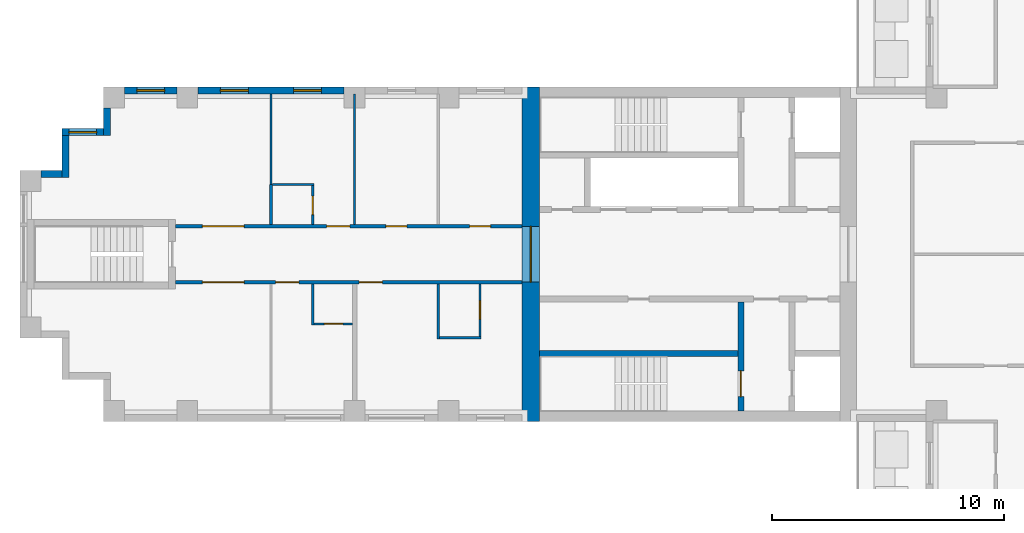
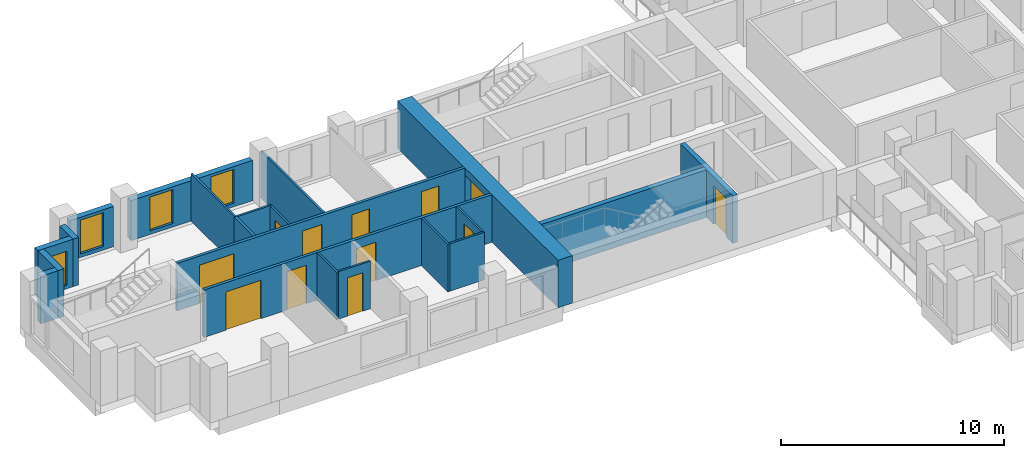
# One storey, part 3 of 12: 21 walls, 12 doors, 4 windows, 16 openings.
"""IFC4 building model written with IfcOpenShell, lengths in metres."""

from ifc_helpers import new_model, si_unit, direction, frame, frame_2d, origin, place, context, subcontext, project, spatial, rectangle, extrude, material, layer, layer_set, type_object, element, fill, save


model = new_model("IFC4")

# Units and contexts
model_context = context("Model", 3, precision=1e-05, world=origin(), true_north=direction((0.0, 1.0)))
body_context = subcontext(model_context, "Body", "Model", "MODEL_VIEW")
ifc_project = project(units=[si_unit("LENGTHUNIT", "METRE"), si_unit("AREAUNIT", "SQUARE_METRE"), si_unit("VOLUMEUNIT", "CUBIC_METRE"), si_unit("PLANEANGLEUNIT", "RADIAN"), si_unit("MASSUNIT", "GRAM", prefix="KILO")], contexts=[model_context])

# Site, building, storey
site_placement = place(None, origin())
site = spatial("IfcSite", under=ifc_project, at=site_placement, CompositionType="ELEMENT")
building_placement = place(site_placement, origin())
building = spatial("IfcBuilding", under=site, at=building_placement, Name="Fustian Cross Tower", CompositionType="ELEMENT")
storey_placement = place(building_placement, frame((0.0, 0.0, 132.300048828125)))
storey = spatial("IfcBuildingStorey", under=building, at=storey_placement, Name="L41", CompositionType="ELEMENT", Elevation=132.300048828125)

# Wall, openings, doors
ifc_material_1 = material(Name="Plasterboard on steel stud", Category="steel")
ifc_layer_1 = layer(ifc_material_1, 0.14990234375)
ifc_layer_set_1 = layer_set([ifc_layer_1], Name="Plasterboard on steel stud")
wall_type_1 = type_object("IfcWallType", Name="COMPARTMENT WALL 150 EI 60", PredefinedType="PARTITIONING", material=ifc_layer_set_1)
wall_1_placement = place(storey_placement, frame((-36.5, -1.199951171875, 0.0), z_axis=(0.0, 0.0, 1.0), x_axis=(1.0, 0.0, 0.0)))
wall_1 = element("IfcWall", 1, at=wall_1_placement, inside=storey, type_object=wall_type_1, Name="Partition 1", PredefinedType="PARTITIONING", context=body_context, shape_type="SweptSolid", body=[
    extrude(rectangle(XDim=14.89990234375, YDim=0.14990234375, at=frame_2d((7.449951171875, 0.0))), origin(), (0.0, 0.0, 1.0), 2.599853515625),
])
opening_1_placement = place(wall_1_placement, frame((7.89990234375, 0.0, 0.0)))
opening_1 = element("IfcOpeningElement", 2, at=opening_1_placement, cuts=wall_1, Name="Opening D19021", PredefinedType="OPENING", context=body_context, shape_type="SweptSolid", body=[
    extrude(rectangle(XDim=1.0, YDim=2.10009765625, at=frame_2d((0.5, 1.050048828125))), frame((0.0, 0.0849609375, 0.0), z_axis=(0.0, -1.0, 0.0), x_axis=(1.0, 0.0, 0.0)), (0.0, 0.0, 1.0), 0.169921875),
])
opening_2_placement = place(wall_1_placement, frame((4.300048828125, 0.0, 0.0)))
opening_2 = element("IfcOpeningElement", 3, at=opening_2_placement, cuts=wall_1, Name="Opening D19023", PredefinedType="OPENING", context=body_context, shape_type="SweptSolid", body=[
    extrude(rectangle(XDim=1.0, YDim=2.10009765625, at=frame_2d((0.5, 1.050048828125))), frame((0.0, 0.0849609375, 0.0), z_axis=(0.0, -1.0, 0.0), x_axis=(1.0, 0.0, 0.0)), (0.0, 0.0, 1.0), 0.169921875),
])
opening_3_placement = place(wall_1_placement, frame((1.14990234375, 0.0, 0.0)))
opening_3 = element("IfcOpeningElement", 4, at=opening_3_placement, cuts=wall_1, Name="Opening D19024", PredefinedType="OPENING", context=body_context, shape_type="SweptSolid", body=[
    extrude(rectangle(XDim=1.800048828125, YDim=2.10009765625, at=frame_2d((0.89990234375, 1.050048828125))), frame((0.0, 0.0849609375, 0.0), z_axis=(0.0, -1.0, 0.0), x_axis=(1.0, 0.0, 0.0)), (0.0, 0.0, 1.0), 0.169921875),
])
ifc_material_2 = material(Name="Timber fire door set", Category="wood")
door_type_1 = type_object("IfcDoorType", Name="FIRE DOUBLE DOOR 1800 FD30S", OperationType="DOUBLE_DOOR_DOUBLE_SWING", PredefinedType="DOOR", material=ifc_material_2)
door_1_placement = place(opening_3_placement, origin())
door_1 = element("IfcDoor", 5, at=door_1_placement, inside=storey, type_object=door_type_1, Name="Door D19024", OperationType="DOUBLE_DOOR_DOUBLE_SWING", OverallHeight=2.10009765625, OverallWidth=1.800048828125, PredefinedType="DOOR", context=body_context, shape_type="SweptSolid", body=[
    extrude(rectangle(XDim=1.800048828125, YDim=2.10009765625, at=frame_2d((0.89990234375, 1.050048828125))), frame((0.0, 0.02490234375, 0.0), z_axis=(0.0, -1.0, 0.0), x_axis=(1.0, 0.0, 0.0)), (0.0, 0.0, 1.0), 0.050048828125),
])
fill(opening_3, door_1)
ifc_material_3 = material(Name="Timber fire door set", Category="wood")
door_type_2 = type_object("IfcDoorType", Name="FIRE SWING DOOR 1000 FD30S", OperationType="SINGLE_SWING_LEFT", PredefinedType="DOOR", material=ifc_material_3)
door_2_placement = place(opening_1_placement, frame((1.0, 0.0, 0.0), z_axis=(0.0, 0.0, 1.0), x_axis=(-1.0, 0.0, 0.0)))
door_2 = element("IfcDoor", 6, at=door_2_placement, inside=storey, type_object=door_type_2, Name="Door D19021", OperationType="SINGLE_SWING_RIGHT", OverallHeight=2.10009765625, OverallWidth=1.0, PredefinedType="DOOR", context=body_context, shape_type="SweptSolid", body=[
    extrude(rectangle(XDim=1.0, YDim=2.10009765625, at=frame_2d((0.5, 1.050048828125))), frame((0.0, 0.02490234375, 0.0), z_axis=(0.0, -1.0, 0.0), x_axis=(1.0, 0.0, 0.0)), (0.0, 0.0, 1.0), 0.050048828125),
])
fill(opening_1, door_2)
door_3_placement = place(opening_2_placement, frame((1.0, 0.0, 0.0), z_axis=(0.0, 0.0, 1.0), x_axis=(-1.0, 0.0, 0.0)))
door_3 = element("IfcDoor", 7, at=door_3_placement, inside=storey, type_object=door_type_2, Name="Door D19023", OperationType="SINGLE_SWING_RIGHT", OverallHeight=2.10009765625, OverallWidth=1.0, PredefinedType="DOOR", context=body_context, shape_type="SweptSolid", body=[
    extrude(rectangle(XDim=1.0, YDim=2.10009765625, at=frame_2d((0.5, 1.050048828125))), frame((0.0, 0.02490234375, 0.0), z_axis=(0.0, -1.0, 0.0), x_axis=(1.0, 0.0, 0.0)), (0.0, 0.0, 1.0), 0.050048828125),
])
fill(opening_2, door_3)

wall_2_placement = place(storey_placement, frame((-36.5, 1.199951171875, 0.0), z_axis=(0.0, 0.0, 1.0), x_axis=(1.0, 0.0, 0.0)))
wall_2 = element("IfcWall", 8, at=wall_2_placement, inside=storey, type_object=wall_type_1, Name="Partition 2", PredefinedType="PARTITIONING", context=body_context, shape_type="SweptSolid", body=[
    extrude(rectangle(XDim=14.89990234375, YDim=0.14990234375, at=frame_2d((7.449951171875, 0.0))), origin(), (0.0, 0.0, 1.0), 2.599853515625),
])
opening_4_placement = place(wall_2_placement, frame((12.64990234375, 0.0, 0.0)))
opening_4 = element("IfcOpeningElement", 9, at=opening_4_placement, cuts=wall_2, Name="Opening D19025", PredefinedType="OPENING", context=body_context, shape_type="SweptSolid", body=[
    extrude(rectangle(XDim=0.89990234375, YDim=2.10009765625, at=frame_2d((0.449951171875, 1.050048828125))), frame((0.0, 0.0849609375, 0.0), z_axis=(0.0, -1.0, 0.0), x_axis=(1.0, 0.0, 0.0)), (0.0, 0.0, 1.0), 0.169921875),
])
opening_5_placement = place(wall_2_placement, frame((9.050048828125, 0.0, 0.0)))
opening_5 = element("IfcOpeningElement", 10, at=opening_5_placement, cuts=wall_2, Name="Opening D19026", PredefinedType="OPENING", context=body_context, shape_type="SweptSolid", body=[
    extrude(rectangle(XDim=0.89990234375, YDim=2.10009765625, at=frame_2d((0.449951171875, 1.050048828125))), frame((0.0, 0.0849609375, 0.0), z_axis=(0.0, -1.0, 0.0), x_axis=(1.0, 0.0, 0.0)), (0.0, 0.0, 1.0), 0.169921875),
])
opening_6_placement = place(wall_2_placement, frame((6.5, 0.0, 0.0)))
opening_6 = element("IfcOpeningElement", 11, at=opening_6_placement, cuts=wall_2, Name="Opening D19028", PredefinedType="OPENING", context=body_context, shape_type="SweptSolid", body=[
    extrude(rectangle(XDim=1.0, YDim=2.10009765625, at=frame_2d((0.5, 1.050048828125))), frame((0.0, 0.0849609375, 0.0), z_axis=(0.0, -1.0, 0.0), x_axis=(1.0, 0.0, 0.0)), (0.0, 0.0, 1.0), 0.169921875),
])
opening_7_placement = place(wall_2_placement, frame((1.14990234375, 0.0, 0.0)))
opening_7 = element("IfcOpeningElement", 12, at=opening_7_placement, cuts=wall_2, Name="Opening D19029", PredefinedType="OPENING", context=body_context, shape_type="SweptSolid", body=[
    extrude(rectangle(XDim=1.800048828125, YDim=2.10009765625, at=frame_2d((0.89990234375, 1.050048828125))), frame((0.0, 0.0849609375, 0.0), z_axis=(0.0, -1.0, 0.0), x_axis=(1.0, 0.0, 0.0)), (0.0, 0.0, 1.0), 0.169921875),
])
door_4_placement = place(opening_7_placement, frame((1.800048828125, 0.0, 0.0), z_axis=(0.0, 0.0, 1.0), x_axis=(-1.0, 0.0, 0.0)))
door_4 = element("IfcDoor", 13, at=door_4_placement, inside=storey, type_object=door_type_1, Name="Door D19029", OperationType="DOUBLE_DOOR_DOUBLE_SWING", OverallHeight=2.10009765625, OverallWidth=1.800048828125, PredefinedType="DOOR", context=body_context, shape_type="SweptSolid", body=[
    extrude(rectangle(XDim=1.800048828125, YDim=2.10009765625, at=frame_2d((0.89990234375, 1.050048828125))), frame((0.0, 0.02490234375, 0.0), z_axis=(0.0, -1.0, 0.0), x_axis=(1.0, 0.0, 0.0)), (0.0, 0.0, 1.0), 0.050048828125),
])
fill(opening_7, door_4)
door_5_placement = place(opening_6_placement, origin())
door_5 = element("IfcDoor", 14, at=door_5_placement, inside=storey, type_object=door_type_2, Name="Door D19028", OperationType="SINGLE_SWING_RIGHT", OverallHeight=2.10009765625, OverallWidth=1.0, PredefinedType="DOOR", context=body_context, shape_type="SweptSolid", body=[
    extrude(rectangle(XDim=1.0, YDim=2.10009765625, at=frame_2d((0.5, 1.050048828125))), frame((0.0, 0.02490234375, 0.0), z_axis=(0.0, -1.0, 0.0), x_axis=(1.0, 0.0, 0.0)), (0.0, 0.0, 1.0), 0.050048828125),
])
fill(opening_6, door_5)
ifc_material_4 = material(Name="Timber fire door set", Category="wood")
door_type_3 = type_object("IfcDoorType", Name="FIRE SWING DOOR 900 FD30S", OperationType="SINGLE_SWING_LEFT", PredefinedType="DOOR", material=ifc_material_4)
door_6_placement = place(opening_4_placement, origin())
door_6 = element("IfcDoor", 15, at=door_6_placement, inside=storey, type_object=door_type_3, Name="Door D19025", OperationType="SINGLE_SWING_LEFT", OverallHeight=2.10009765625, OverallWidth=0.89990234375, PredefinedType="DOOR", context=body_context, shape_type="SweptSolid", body=[
    extrude(rectangle(XDim=0.89990234375, YDim=2.10009765625, at=frame_2d((0.449951171875, 1.050048828125))), frame((0.0, 0.02490234375, 0.0), z_axis=(0.0, -1.0, 0.0), x_axis=(1.0, 0.0, 0.0)), (0.0, 0.0, 1.0), 0.050048828125),
])
fill(opening_4, door_6)
door_7_placement = place(opening_5_placement, origin())
door_7 = element("IfcDoor", 16, at=door_7_placement, inside=storey, type_object=door_type_3, Name="Door D19026", OperationType="SINGLE_SWING_LEFT", OverallHeight=2.10009765625, OverallWidth=0.89990234375, PredefinedType="DOOR", context=body_context, shape_type="SweptSolid", body=[
    extrude(rectangle(XDim=0.89990234375, YDim=2.10009765625, at=frame_2d((0.449951171875, 1.050048828125))), frame((0.0, 0.02490234375, 0.0), z_axis=(0.0, -1.0, 0.0), x_axis=(1.0, 0.0, 0.0)), (0.0, 0.0, 1.0), 0.050048828125),
])
fill(opening_5, door_7)

# Wall, opening, door
ifc_material_5 = material(Name="Concrete C60/75", Category="concrete")
ifc_layer_2 = layer(ifc_material_5, 0.75)
ifc_layer_set_2 = layer_set([ifc_layer_2], Name="Concrete C60/75")
wall_type_2 = type_object("IfcWallType", Name="CORE END WALL 750 C60/75", PredefinedType="SHEAR", material=ifc_layer_set_2)
wall_3_placement = place(storey_placement, frame((-21.22509765625, -7.199951171875, 0.0), z_axis=(0.0, 0.0, 1.0), x_axis=(0.0, 1.0, 0.0)))
wall_3 = element("IfcWall", 17, at=wall_3_placement, inside=storey, type_object=wall_type_2, Name="Core end wall", PredefinedType="SHEAR", context=body_context, shape_type="SweptSolid", body=[
    extrude(rectangle(XDim=14.39990234375, YDim=0.75, at=frame_2d((7.199951171875, 0.0))), origin(), (0.0, 0.0, 1.0), 2.599853515625),
])
opening_8_placement = place(wall_3_placement, frame((6.0, 0.0, 0.0)))
opening_8 = element("IfcOpeningElement", 18, at=opening_8_placement, cuts=wall_3, Name="Opening CD-17-28", PredefinedType="OPENING", context=body_context, shape_type="SweptSolid", body=[
    extrude(rectangle(XDim=2.39990234375, YDim=2.199951171875, at=frame_2d((1.199951171875, 1.10009765625))), frame((0.0, 0.385009765625, 0.0), z_axis=(0.0, -1.0, 0.0), x_axis=(1.0, 0.0, 0.0)), (0.0, 0.0, 1.0), 0.77001953125),
])
ifc_material_6 = material(Name="Steel", Category="steel")
door_type_4 = type_object("IfcDoorType", Name="FIRE DOOR FD30S DOUBLE 2400X2200", OperationType="DOUBLE_DOOR_DOUBLE_SWING", PredefinedType="DOOR", material=ifc_material_6)
door_8_placement = place(opening_8_placement, frame((2.39990234375, 0.0, 0.0), z_axis=(0.0, 0.0, 1.0), x_axis=(-1.0, 0.0, 0.0)))
door_8 = element("IfcDoor", 19, at=door_8_placement, inside=storey, type_object=door_type_4, Name="Core door CD-17-28", OperationType="DOUBLE_DOOR_DOUBLE_SWING", OverallHeight=2.199951171875, OverallWidth=2.39990234375, PredefinedType="DOOR", context=body_context, shape_type="SweptSolid", body=[
    extrude(rectangle(XDim=2.39990234375, YDim=2.199951171875, at=frame_2d((1.199951171875, 1.10009765625))), frame((0.0, 0.02490234375, 0.0), z_axis=(0.0, -1.0, 0.0), x_axis=(1.0, 0.0, 0.0)), (0.0, 0.0, 1.0), 0.050048828125),
])
fill(opening_8, door_8)

# Wall
ifc_material_7 = material(Name="Concrete C50/60", Category="concrete")
ifc_layer_3 = layer(ifc_material_7, 0.25)
ifc_layer_set_3 = layer_set([ifc_layer_3], Name="Concrete C50/60")
wall_type_3 = type_object("IfcWallType", Name="CORE SHAFT WALL 250 C50/60", PredefinedType="SHEAR", material=ifc_layer_set_3)
wall_4_placement = place(storey_placement, frame((-12.300048828125, -4.27490234375, 0.0), z_axis=(0.0, 0.0, 1.0), x_axis=(-1.0, 0.0, 0.0)))
element("IfcWall", 20, at=wall_4_placement, inside=storey, type_object=wall_type_3, Name="Core shaft wall", PredefinedType="SHEAR", context=body_context, shape_type="SweptSolid", body=[
    extrude(rectangle(XDim=8.550048828125, YDim=0.25, at=frame_2d((4.27490234375, 0.0))), origin(), (0.0, 0.0, 1.0), 2.599853515625),
])

# Wall, opening, door
wall_5_placement = place(storey_placement, frame((-12.175048828125, -2.050048828125, 0.0), z_axis=(0.0, 0.0, 1.0), x_axis=(0.0, -1.0, 0.0)))
wall_5 = element("IfcWall", 21, at=wall_5_placement, inside=storey, type_object=wall_type_3, Name="Core shaft wall", PredefinedType="SHEAR", context=body_context, shape_type="SweptSolid", body=[
    extrude(rectangle(XDim=4.699951171875, YDim=0.25, at=frame_2d((2.35009765625, 0.0))), origin(), (0.0, 0.0, 1.0), 2.599853515625),
])
opening_9_placement = place(wall_5_placement, frame((2.97509765625, 0.0, 0.0)))
opening_9 = element("IfcOpeningElement", 22, at=opening_9_placement, cuts=wall_5, Name="Opening CD-17-22", PredefinedType="OPENING", context=body_context, shape_type="SweptSolid", body=[
    extrude(rectangle(XDim=1.10009765625, YDim=2.10009765625, at=frame_2d((0.550048828125, 1.050048828125))), frame((0.0, 0.135009765625, 0.0), z_axis=(0.0, -1.0, 0.0), x_axis=(1.0, 0.0, 0.0)), (0.0, 0.0, 1.0), 0.27001953125),
])
ifc_material_8 = material(Name="Steel", Category="steel")
door_type_5 = type_object("IfcDoorType", Name="FIRE DOOR FD60S 1100X2100", OperationType="SINGLE_SWING_LEFT", PredefinedType="DOOR", material=ifc_material_8)
door_9_placement = place(opening_9_placement, frame((1.10009765625, 0.0, 0.0), z_axis=(0.0, 0.0, 1.0), x_axis=(-1.0, 0.0, 0.0)))
door_9 = element("IfcDoor", 23, at=door_9_placement, inside=storey, type_object=door_type_5, Name="Core door CD-17-22", OperationType="SINGLE_SWING_RIGHT", OverallHeight=2.10009765625, OverallWidth=1.10009765625, PredefinedType="DOOR", context=body_context, shape_type="SweptSolid", body=[
    extrude(rectangle(XDim=1.10009765625, YDim=2.10009765625, at=frame_2d((0.550048828125, 1.050048828125))), frame((0.0, 0.02490234375, 0.0), z_axis=(0.0, -1.0, 0.0), x_axis=(1.0, 0.0, 0.0)), (0.0, 0.0, 1.0), 0.050048828125),
])
fill(opening_9, door_9)

# Walls
ifc_material_9 = material(Name="Plasterboard on steel stud", Category="steel")
ifc_layer_4 = layer(ifc_material_9, 0.10009765625)
ifc_layer_set_4 = layer_set([ifc_layer_4], Name="Plasterboard on steel stud")
wall_type_4 = type_object("IfcWallType", Name="PARTITION 100 STUD", PredefinedType="PARTITIONING", material=ifc_layer_set_4)
wall_6_placement = place(storey_placement, frame((-32.39990234375, 3.0, 0.0), z_axis=(0.0, 0.0, 1.0), x_axis=(0.0, 1.0, 0.0)))
element("IfcWall", 24, at=wall_6_placement, inside=storey, type_object=wall_type_4, Name="Partition 5", PredefinedType="PARTITIONING", context=body_context, shape_type="SweptSolid", body=[
    extrude(rectangle(XDim=3.89990234375, YDim=0.10009765625, at=frame_2d((1.949951171875, 0.0))), origin(), (0.0, 0.0, 1.0), 2.599853515625),
])
wall_7_placement = place(storey_placement, frame((-32.33740234375, 3.0, 0.0), z_axis=(0.0, 0.0, 1.0), x_axis=(1.0, 0.0, 0.0)))
element("IfcWall", 25, at=wall_7_placement, inside=storey, type_object=wall_type_4, Name="Partition 6", PredefinedType="PARTITIONING", context=body_context, shape_type="SweptSolid", body=[
    extrude(rectangle(XDim=1.787353515625, YDim=0.10009765625, at=frame_2d((0.8935546875, 0.0))), origin(), (0.0, 0.0, 1.0), 2.599853515625),
])
wall_8_placement = place(storey_placement, frame((-30.60009765625, -3.050048828125, 0.0), z_axis=(0.0, 0.0, 1.0), x_axis=(0.0, 1.0, 0.0)))
element("IfcWall", 26, at=wall_8_placement, inside=storey, type_object=wall_type_4, Name="Partition 7", PredefinedType="PARTITIONING", context=body_context, shape_type="SweptSolid", body=[
    extrude(rectangle(XDim=1.775146484375, YDim=0.10009765625, at=frame_2d((0.8876953125, 0.0))), origin(), (0.0, 0.0, 1.0), 2.599853515625),
])

# Wall, opening, door
wall_9_placement = place(storey_placement, frame((-30.550048828125, -3.0, 0.0), z_axis=(0.0, 0.0, 1.0), x_axis=(1.0, 0.0, 0.0)))
wall_9 = element("IfcWall", 27, at=wall_9_placement, inside=storey, type_object=wall_type_4, Name="Partition 8", PredefinedType="PARTITIONING", context=body_context, shape_type="SweptSolid", body=[
    extrude(rectangle(XDim=1.650146484375, YDim=0.10009765625, at=frame_2d((0.8251953125, 0.0))), origin(), (0.0, 0.0, 1.0), 2.599853515625),
])
opening_10_placement = place(wall_9_placement, frame((0.449951171875, 0.0, 0.0)))
opening_10 = element("IfcOpeningElement", 28, at=opening_10_placement, cuts=wall_9, Name="Opening D19022", PredefinedType="OPENING", context=body_context, shape_type="SweptSolid", body=[
    extrude(rectangle(XDim=0.800048828125, YDim=2.10009765625, at=frame_2d((0.39990234375, 1.050048828125))), frame((0.0, 0.06005859375, 0.0), z_axis=(0.0, -1.0, 0.0), x_axis=(1.0, 0.0, 0.0)), (0.0, 0.0, 1.0), 0.1201171875),
])
ifc_material_10 = material(Name="Painted timber", Category="wood")
door_type_6 = type_object("IfcDoorType", Name="SWING DOOR 800", OperationType="SINGLE_SWING_LEFT", PredefinedType="DOOR", material=ifc_material_10)
door_10_placement = place(opening_10_placement, origin())
door_10 = element("IfcDoor", 29, at=door_10_placement, inside=storey, type_object=door_type_6, Name="Door D19022", OperationType="SINGLE_SWING_RIGHT", OverallHeight=2.10009765625, OverallWidth=0.800048828125, PredefinedType="DOOR", context=body_context, shape_type="SweptSolid", body=[
    extrude(rectangle(XDim=0.800048828125, YDim=2.10009765625, at=frame_2d((0.39990234375, 1.050048828125))), frame((0.0, 0.02490234375, 0.0), z_axis=(0.0, -1.0, 0.0), x_axis=(1.0, 0.0, 0.0)), (0.0, 0.0, 1.0), 0.050048828125),
])
fill(opening_10, door_10)

wall_10_placement = place(storey_placement, frame((-30.60009765625, 1.27490234375, 0.0), z_axis=(0.0, 0.0, 1.0), x_axis=(0.0, 1.0, 0.0)))
wall_10 = element("IfcWall", 30, at=wall_10_placement, inside=storey, type_object=wall_type_4, Name="Partition 9", PredefinedType="PARTITIONING", context=body_context, shape_type="SweptSolid", body=[
    extrude(rectangle(XDim=1.675048828125, YDim=0.10009765625, at=frame_2d((0.83740234375, 0.0))), origin(), (0.0, 0.0, 1.0), 2.599853515625),
])
opening_11_placement = place(wall_10_placement, frame((0.425048828125, 0.0, 0.0)))
opening_11 = element("IfcOpeningElement", 31, at=opening_11_placement, cuts=wall_10, Name="Opening D19027", PredefinedType="OPENING", context=body_context, shape_type="SweptSolid", body=[
    extrude(rectangle(XDim=0.800048828125, YDim=2.10009765625, at=frame_2d((0.39990234375, 1.050048828125))), frame((0.0, 0.06005859375, 0.0), z_axis=(0.0, -1.0, 0.0), x_axis=(1.0, 0.0, 0.0)), (0.0, 0.0, 1.0), 0.1201171875),
])
door_11_placement = place(opening_11_placement, origin())
door_11 = element("IfcDoor", 32, at=door_11_placement, inside=storey, type_object=door_type_6, Name="Door D19027", OperationType="SINGLE_SWING_RIGHT", OverallHeight=2.10009765625, OverallWidth=0.800048828125, PredefinedType="DOOR", context=body_context, shape_type="SweptSolid", body=[
    extrude(rectangle(XDim=0.800048828125, YDim=2.10009765625, at=frame_2d((0.39990234375, 1.050048828125))), frame((0.0, 0.02490234375, 0.0), z_axis=(0.0, -1.0, 0.0), x_axis=(1.0, 0.0, 0.0)), (0.0, 0.0, 1.0), 0.050048828125),
])
fill(opening_11, door_11)

# Walls
wall_11_placement = place(storey_placement, frame((-28.800048828125, 1.27490234375, 0.0), z_axis=(0.0, 0.0, 1.0), x_axis=(0.0, 1.0, 0.0)))
element("IfcWall", 33, at=wall_11_placement, inside=storey, type_object=wall_type_4, Name="Partition 11", PredefinedType="PARTITIONING", context=body_context, shape_type="SweptSolid", body=[
    extrude(rectangle(XDim=5.625, YDim=0.10009765625, at=frame_2d((2.8125, 0.0))), origin(), (0.0, 0.0, 1.0), 2.599853515625),
])
wall_12_placement = place(storey_placement, frame((-25.199951171875, -3.64990234375, 0.0), z_axis=(0.0, 0.0, 1.0), x_axis=(0.0, 1.0, 0.0)))
element("IfcWall", 34, at=wall_12_placement, inside=storey, type_object=wall_type_4, Name="Partition 12", PredefinedType="PARTITIONING", context=body_context, shape_type="SweptSolid", body=[
    extrude(rectangle(XDim=2.375, YDim=0.10009765625, at=frame_2d((1.1875, 0.0))), origin(), (0.0, 0.0, 1.0), 2.599853515625),
])
wall_13_placement = place(storey_placement, frame((-25.14990234375, -3.60009765625, 0.0), z_axis=(0.0, 0.0, 1.0), x_axis=(1.0, 0.0, 0.0)))
element("IfcWall", 35, at=wall_13_placement, inside=storey, type_object=wall_type_4, Name="Partition 13", PredefinedType="PARTITIONING", context=body_context, shape_type="SweptSolid", body=[
    extrude(rectangle(XDim=1.7998046875, YDim=0.10009765625, at=frame_2d((0.89990234375, 0.0))), origin(), (0.0, 0.0, 1.0), 2.599853515625),
])

# Wall, opening, door
wall_14_placement = place(storey_placement, frame((-23.39990234375, -3.550048828125, 0.0), z_axis=(0.0, 0.0, 1.0), x_axis=(0.0, 1.0, 0.0)))
wall_14 = element("IfcWall", 36, at=wall_14_placement, inside=storey, type_object=wall_type_4, Name="Partition 15", PredefinedType="PARTITIONING", context=body_context, shape_type="SweptSolid", body=[
    extrude(rectangle(XDim=2.275146484375, YDim=0.10009765625, at=frame_2d((1.1376953125, 0.0))), origin(), (0.0, 0.0, 1.0), 2.599853515625),
])
opening_12_placement = place(wall_14_placement, frame((0.75, 0.0, 0.0)))
opening_12 = element("IfcOpeningElement", 37, at=opening_12_placement, cuts=wall_14, Name="Opening D19020", PredefinedType="OPENING", context=body_context, shape_type="SweptSolid", body=[
    extrude(rectangle(XDim=0.800048828125, YDim=2.10009765625, at=frame_2d((0.39990234375, 1.050048828125))), frame((0.0, 0.06005859375, 0.0), z_axis=(0.0, -1.0, 0.0), x_axis=(1.0, 0.0, 0.0)), (0.0, 0.0, 1.0), 0.1201171875),
])
door_12_placement = place(opening_12_placement, origin())
door_12 = element("IfcDoor", 38, at=door_12_placement, inside=storey, type_object=door_type_6, Name="Door D19020", OperationType="SINGLE_SWING_LEFT", OverallHeight=2.10009765625, OverallWidth=0.800048828125, PredefinedType="DOOR", context=body_context, shape_type="SweptSolid", body=[
    extrude(rectangle(XDim=0.800048828125, YDim=2.10009765625, at=frame_2d((0.39990234375, 1.050048828125))), frame((0.0, 0.02490234375, 0.0), z_axis=(0.0, -1.0, 0.0), x_axis=(1.0, 0.0, 0.0)), (0.0, 0.0, 1.0), 0.050048828125),
])
fill(opening_12, door_12)

# Wall
ifc_material_11 = material(Name="Plasterboard on steel stud", Category="steel")
ifc_layer_5 = layer(ifc_material_11, 0.125)
ifc_layer_set_5 = layer_set([ifc_layer_5], Name="Plasterboard on steel stud")
wall_type_5 = type_object("IfcWallType", Name="WET WALL 125 STUD", PredefinedType="PARTITIONING", material=ifc_layer_set_5)
wall_15_placement = place(storey_placement, frame((-32.39990234375, 1.27490234375, 0.0), z_axis=(0.0, 0.0, 1.0), x_axis=(0.0, 1.0, 0.0)))
element("IfcWall", 39, at=wall_15_placement, inside=storey, type_object=wall_type_5, Name="Partition 4", PredefinedType="PARTITIONING", context=body_context, shape_type="SweptSolid", body=[
    extrude(rectangle(XDim=1.72509765625, YDim=0.125, at=frame_2d((0.862548828125, 0.0))), origin(), (0.0, 0.0, 1.0), 2.599853515625),
])

# Wall, openings, windows
ifc_material_12 = material(Name="Dark aluminium cladding on insulated backing wall", Category="aluminium")
ifc_layer_6 = layer(ifc_material_12, 0.300048828125)
ifc_layer_set_6 = layer_set([ifc_layer_6], Name="Dark aluminium cladding on insulated backing wall")
wall_type_6 = type_object("IfcWallType", Name="XW1 EXTERNAL WALL 300", PredefinedType="SOLIDWALL", material=ifc_layer_set_6)
wall_16_placement = place(storey_placement, frame((-29.25, 7.050048828125, 0.0), z_axis=(0.0, 0.0, 1.0), x_axis=(-1.0, 0.0, 0.0)))
wall_16 = element("IfcWall", 40, at=wall_16_placement, inside=storey, type_object=wall_type_6, Name="External wall", PredefinedType="SOLIDWALL", context=body_context, shape_type="SweptSolid", body=[
    extrude(rectangle(XDim=6.300048828125, YDim=0.300048828125, at=frame_2d((3.14990234375, 0.0))), origin(), (0.0, 0.0, 1.0), 2.199951171875),
])
opening_13_placement = place(wall_16_placement, frame((0.97509765625, 0.0, 0.199951171875)))
opening_13 = element("IfcOpeningElement", 41, at=opening_13_placement, cuts=wall_16, Name="Opening WN3", PredefinedType="OPENING", context=body_context, shape_type="SweptSolid", body=[
    extrude(rectangle(XDim=1.199951171875, YDim=1.85009765625, at=frame_2d((0.60009765625, 0.925048828125))), frame((0.0, 0.159912109375, 0.0), z_axis=(0.0, -1.0, 0.0), x_axis=(1.0, 0.0, 0.0)), (0.0, 0.0, 1.0), 0.320068359375),
])
opening_14_placement = place(wall_16_placement, frame((4.125, 0.0, 0.199951171875)))
opening_14 = element("IfcOpeningElement", 42, at=opening_14_placement, cuts=wall_16, Name="Opening WN3", PredefinedType="OPENING", context=body_context, shape_type="SweptSolid", body=[
    extrude(rectangle(XDim=1.199951171875, YDim=1.85009765625, at=frame_2d((0.60009765625, 0.925048828125))), frame((0.0, 0.159912109375, 0.0), z_axis=(0.0, -1.0, 0.0), x_axis=(1.0, 0.0, 0.0)), (0.0, 0.0, 1.0), 0.320068359375),
])
ifc_material_13 = material(Name="Dark anodised aluminium and double glazing", Category="aluminium")
window_type = type_object("IfcWindowType", Name="WN3 WINDOW 1200X1850", PartitioningType="SINGLE_PANEL", PredefinedType="WINDOW", material=ifc_material_13)
window_1_placement = place(opening_13_placement, origin())
window_1 = element("IfcWindow", 43, at=window_1_placement, inside=storey, type_object=window_type, Name="Window", OverallHeight=1.85009765625, OverallWidth=1.199951171875, PartitioningType="SINGLE_PANEL", PredefinedType="WINDOW", context=body_context, shape_type="SweptSolid", body=[
    extrude(rectangle(XDim=1.199951171875, YDim=1.85009765625, at=frame_2d((0.60009765625, 0.925048828125))), frame((0.0, 0.030029296875, 0.0), z_axis=(0.0, -1.0, 0.0), x_axis=(1.0, 0.0, 0.0)), (0.0, 0.0, 1.0), 0.06005859375),
])
fill(opening_13, window_1)
window_2_placement = place(opening_14_placement, origin())
window_2 = element("IfcWindow", 44, at=window_2_placement, inside=storey, type_object=window_type, Name="Window", OverallHeight=1.85009765625, OverallWidth=1.199951171875, PartitioningType="SINGLE_PANEL", PredefinedType="WINDOW", context=body_context, shape_type="SweptSolid", body=[
    extrude(rectangle(XDim=1.199951171875, YDim=1.85009765625, at=frame_2d((0.60009765625, 0.925048828125))), frame((0.0, 0.030029296875, 0.0), z_axis=(0.0, -1.0, 0.0), x_axis=(1.0, 0.0, 0.0)), (0.0, 0.0, 1.0), 0.06005859375),
])
fill(opening_14, window_2)

# Wall, opening, window
wall_17_placement = place(storey_placement, frame((-36.449951171875, 7.050048828125, 0.0), z_axis=(0.0, 0.0, 1.0), x_axis=(-1.0, 0.0, 0.0)))
wall_17 = element("IfcWall", 45, at=wall_17_placement, inside=storey, type_object=wall_type_6, Name="External wall", PredefinedType="SOLIDWALL", context=body_context, shape_type="SweptSolid", body=[
    extrude(rectangle(XDim=2.25, YDim=0.300048828125, at=frame_2d((1.125, 0.0))), origin(), (0.0, 0.0, 1.0), 2.199951171875),
])
opening_15_placement = place(wall_17_placement, frame((0.52490234375, 0.0, 0.199951171875)))
opening_15 = element("IfcOpeningElement", 46, at=opening_15_placement, cuts=wall_17, Name="Opening WN3", PredefinedType="OPENING", context=body_context, shape_type="SweptSolid", body=[
    extrude(rectangle(XDim=1.199951171875, YDim=1.85009765625, at=frame_2d((0.60009765625, 0.925048828125))), frame((0.0, 0.159912109375, 0.0), z_axis=(0.0, -1.0, 0.0), x_axis=(1.0, 0.0, 0.0)), (0.0, 0.0, 1.0), 0.320068359375),
])
window_3_placement = place(opening_15_placement, origin())
window_3 = element("IfcWindow", 47, at=window_3_placement, inside=storey, type_object=window_type, Name="Window", OverallHeight=1.85009765625, OverallWidth=1.199951171875, PartitioningType="SINGLE_PANEL", PredefinedType="WINDOW", context=body_context, shape_type="SweptSolid", body=[
    extrude(rectangle(XDim=1.199951171875, YDim=1.85009765625, at=frame_2d((0.60009765625, 0.925048828125))), frame((0.0, 0.030029296875, 0.0), z_axis=(0.0, -1.0, 0.0), x_axis=(1.0, 0.0, 0.0)), (0.0, 0.0, 1.0), 0.06005859375),
])
fill(opening_15, window_3)

# Wall
wall_18_placement = place(storey_placement, frame((-39.449951171875, 6.300048828125, 0.0), z_axis=(0.0, 0.0, 1.0), x_axis=(0.0, -1.0, 0.0)))
element("IfcWall", 48, at=wall_18_placement, inside=storey, type_object=wall_type_6, Name="External wall", PredefinedType="SOLIDWALL", context=body_context, shape_type="SweptSolid", body=[
    extrude(rectangle(XDim=1.199951171875, YDim=0.300048828125, at=frame_2d((0.60009765625, 0.0))), origin(), (0.0, 0.0, 1.0), 2.599853515625),
])

# Wall, opening, window
wall_19_placement = place(storey_placement, frame((-39.60009765625, 5.25, 0.0), z_axis=(0.0, 0.0, 1.0), x_axis=(-1.0, 0.0, 0.0)))
wall_19 = element("IfcWall", 49, at=wall_19_placement, inside=storey, type_object=wall_type_6, Name="External wall", PredefinedType="SOLIDWALL", context=body_context, shape_type="SweptSolid", body=[
    extrude(rectangle(XDim=1.7998046875, YDim=0.300048828125, at=frame_2d((0.89990234375, 0.0))), origin(), (0.0, 0.0, 1.0), 2.599853515625),
])
opening_16_placement = place(wall_19_placement, frame((0.300048828125, 0.0, 0.199951171875)))
opening_16 = element("IfcOpeningElement", 50, at=opening_16_placement, cuts=wall_19, Name="Opening WN3", PredefinedType="OPENING", context=body_context, shape_type="SweptSolid", body=[
    extrude(rectangle(XDim=1.199951171875, YDim=1.85009765625, at=frame_2d((0.60009765625, 0.925048828125))), frame((0.0, 0.159912109375, 0.0), z_axis=(0.0, -1.0, 0.0), x_axis=(1.0, 0.0, 0.0)), (0.0, 0.0, 1.0), 0.320068359375),
])
window_4_placement = place(opening_16_placement, origin())
window_4 = element("IfcWindow", 51, at=window_4_placement, inside=storey, type_object=window_type, Name="Window", OverallHeight=1.85009765625, OverallWidth=1.199951171875, PartitioningType="SINGLE_PANEL", PredefinedType="WINDOW", context=body_context, shape_type="SweptSolid", body=[
    extrude(rectangle(XDim=1.199951171875, YDim=1.85009765625, at=frame_2d((0.60009765625, 0.925048828125))), frame((0.0, 0.030029296875, 0.0), z_axis=(0.0, -1.0, 0.0), x_axis=(1.0, 0.0, 0.0)), (0.0, 0.0, 1.0), 0.06005859375),
])
fill(opening_16, window_4)

# Walls
wall_20_placement = place(storey_placement, frame((-41.25, 5.10009765625, 0.0), z_axis=(0.0, 0.0, 1.0), x_axis=(0.0, -1.0, 0.0)))
element("IfcWall", 52, at=wall_20_placement, inside=storey, type_object=wall_type_6, Name="External wall", PredefinedType="SOLIDWALL", context=body_context, shape_type="SweptSolid", body=[
    extrude(rectangle(XDim=1.800048828125, YDim=0.300048828125, at=frame_2d((0.89990234375, 0.0))), origin(), (0.0, 0.0, 1.0), 2.599853515625),
])
wall_21_placement = place(storey_placement, frame((-41.39990234375, 3.449951171875, 0.0), z_axis=(0.0, 0.0, 1.0), x_axis=(-1.0, 0.0, 0.0)))
element("IfcWall", 53, at=wall_21_placement, inside=storey, type_object=wall_type_6, Name="External wall", PredefinedType="SOLIDWALL", context=body_context, shape_type="SweptSolid", body=[
    extrude(rectangle(XDim=0.900146484375, YDim=0.300048828125, at=frame_2d((0.4501953125, 0.0))), origin(), (0.0, 0.0, 1.0), 2.599853515625),
])

save(model, "model.ifc")
